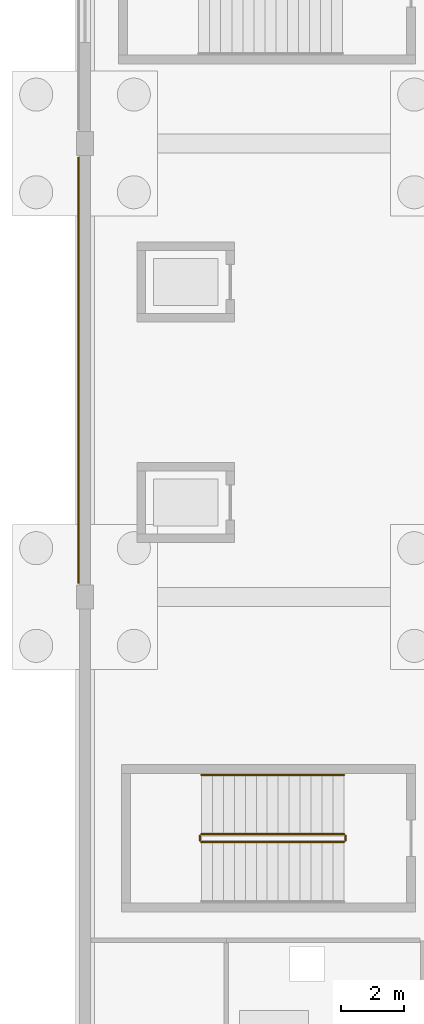
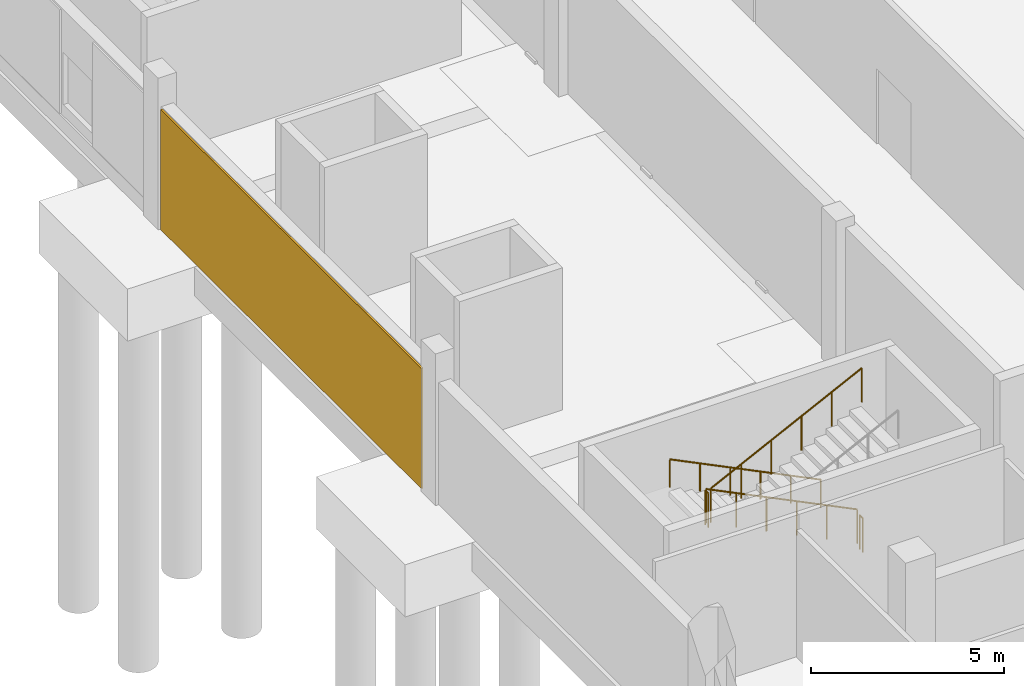
# One storey, part 71 of 82: 5 railings, 1 covering.
"""IFC4 building model written with IfcOpenShell, lengths in metres."""

from ifc_helpers import new_model, si_unit, direction, frame, origin, origin_2d, place, context, subcontext, project, spatial, rectangle, circle, extrude, material, layer, layer_set, type_object, element, save


model = new_model("IFC4")

# Units and contexts
model_context = context("Model", 3, precision=1e-05, world=origin(), true_north=direction((0.0, 1.0)))
body_context = subcontext(model_context, "Body", "Model", "MODEL_VIEW")
ifc_project = project(units=[si_unit("LENGTHUNIT", "METRE"), si_unit("AREAUNIT", "SQUARE_METRE"), si_unit("VOLUMEUNIT", "CUBIC_METRE"), si_unit("PLANEANGLEUNIT", "RADIAN"), si_unit("MASSUNIT", "GRAM", prefix="KILO")], contexts=[model_context])

# Site, building, storey
site_placement = place(None, origin())
site = spatial("IfcSite", under=ifc_project, at=site_placement, CompositionType="ELEMENT")
building_placement = place(site_placement, origin())
building = spatial("IfcBuilding", under=site, at=building_placement, Name="Kelmvaro Bay Concert Hall", CompositionType="ELEMENT")
storey_placement = place(building_placement, origin())
storey = spatial("IfcBuildingStorey", under=building, at=storey_placement, Name="L00", CompositionType="ELEMENT", Elevation=0.0)

# Covering
ifc_material_1 = material(Name="Honed Florida Limestone Travertine", Category="masonry")
ifc_layer = layer(ifc_material_1, 0.054931640625)
ifc_layer_set = layer_set([ifc_layer], Name="Honed Florida Limestone Travertine")
covering_type = type_object("IfcCoveringType", Name="Honed Florida Travertine Rainscreen Cladding 55", PredefinedType="CLADDING", material=ifc_layer_set)
covering_placement = place(storey_placement, frame((-0.20556640625, 90.0, 0.030029296875), z_axis=(0.0, 0.0, 1.0), x_axis=(0.0, 1.0, 0.0)))
element("IfcCovering", 1, at=covering_placement, inside=storey, type_object=covering_type, Name="L00 Travertine Cladding Panel 0010", PredefinedType="CLADDING", context=body_context, shape_type="SweptSolid", body=[
    extrude(rectangle(XDim=13.530029296875, YDim=0.054931640625, at=origin_2d()), origin(), (0.0, 0.0, 1.0), 3.80908203125),
])

# Railings
ifc_material_2 = material(Name="Brushed Stainless Steel 316", Category="steel")
railing_type_1 = type_object("IfcRailingType", Name="Stair Stainless Wall Handrail 900", PredefinedType="HANDRAIL", material=ifc_material_2)
railing_1_placement = place(storey_placement, frame((8.219970703125, 77.14990234375, 0.17138671875)))
element("IfcRailing", 2, at=railing_1_placement, inside=storey, type_object=railing_type_1, Name="L00 ST-01 stair handrail 1", PredefinedType="HANDRAIL", context=body_context, shape_type="SweptSolid", body=[
    extrude(circle(Radius=0.02392578125, at=origin_2d()), frame((0.0, 0.0, 0.8759765625), z_axis=(-0.897064401264, 0.0, 0.441899830261), x_axis=(0.0, -1.0, 0.0)), (0.0, 0.0, 1.0), 5.04296875),
    extrude(circle(Radius=0.02099609375, at=origin_2d()), origin(), (0.0, 0.0, 1.0), 0.851806640625),
    extrude(circle(Radius=0.02099609375, at=origin_2d()), frame((-0.90478515625, 0.0, 0.44580078125)), (0.0, 0.0, 1.0), 0.851806640625),
    extrude(circle(Radius=0.02099609375, at=origin_2d()), frame((-1.8095703125, 0.0, 0.891357421875)), (0.0, 0.0, 1.0), 0.851806640625),
    extrude(circle(Radius=0.02099609375, at=origin_2d()), frame((-2.71435546875, 0.0, 1.337158203125)), (0.0, 0.0, 1.0), 0.851806640625),
    extrude(circle(Radius=0.02099609375, at=origin_2d()), frame((-3.619140625, 0.0, 1.78271484375)), (0.0, 0.0, 1.0), 0.851806640625),
    extrude(circle(Radius=0.02099609375, at=origin_2d()), frame((-4.52392578125, 0.0, 2.228515625)), (0.0, 0.0, 1.0), 0.851806640625),
])
ifc_material_3 = material(Name="Powder-Coated Steel ASTM A500", Category="steel")
railing_type_2 = type_object("IfcRailingType", Name="Stair Well Painted Steel Guard 1100", PredefinedType="BALUSTRADE", material=ifc_material_3)
railing_2_placement = place(storey_placement, frame((8.219970703125, 75.27001953125, 0.17138671875)))
element("IfcRailing", 3, at=railing_2_placement, inside=storey, type_object=railing_type_2, Name="L00 ST-01 stair guard 1", PredefinedType="BALUSTRADE", context=body_context, shape_type="SweptSolid", body=[
    extrude(circle(Radius=0.02392578125, at=origin_2d()), frame((0.0, 0.0, 1.076171875), z_axis=(-0.897064401264, 0.0, 0.441899830261), x_axis=(0.0, -1.0, 0.0)), (0.0, 0.0, 1.0), 5.04296875),
    extrude(circle(Radius=0.02099609375, at=origin_2d()), origin(), (0.0, 0.0, 1.0), 1.052001953125),
    extrude(circle(Radius=0.02099609375, at=origin_2d()), frame((-0.90478515625, 0.0, 0.44580078125)), (0.0, 0.0, 1.0), 1.052001953125),
    extrude(circle(Radius=0.02099609375, at=origin_2d()), frame((-1.8095703125, 0.0, 0.891357421875)), (0.0, 0.0, 1.0), 1.052001953125),
    extrude(circle(Radius=0.02099609375, at=origin_2d()), frame((-2.71435546875, 0.0, 1.337158203125)), (0.0, 0.0, 1.0), 1.052001953125),
    extrude(circle(Radius=0.02099609375, at=origin_2d()), frame((-3.619140625, 0.0, 1.78271484375)), (0.0, 0.0, 1.0), 1.052001953125),
    extrude(circle(Radius=0.02099609375, at=origin_2d()), frame((-4.52392578125, 0.0, 2.228515625)), (0.0, 0.0, 1.0), 1.052001953125),
])
railing_3_placement = place(storey_placement, frame((3.64599609375, 75.219970703125, 2.39990234375)))
element("IfcRailing", 4, at=railing_3_placement, inside=storey, type_object=railing_type_2, Name="L00 ST-01 stair guard 2", PredefinedType="BALUSTRADE", context=body_context, shape_type="SweptSolid", body=[
    extrude(circle(Radius=0.02392578125, at=origin_2d()), frame((0.0, 0.0, 1.076171875), z_axis=(0.0, -1.0, 0.0), x_axis=(1.0, 0.0, 0.0)), (0.0, 0.0, 1.0), 0.14990234375),
    extrude(circle(Radius=0.02099609375, at=origin_2d()), origin(), (0.0, 0.0, 1.0), 1.052001953125),
    extrude(circle(Radius=0.02099609375, at=origin_2d()), frame((0.0, -0.14990234375, 0.0)), (0.0, 0.0, 1.0), 1.052001953125),
])
railing_4_placement = place(storey_placement, frame((3.696044921875, 75.02001953125, 2.571533203125)))
element("IfcRailing", 5, at=railing_4_placement, inside=storey, type_object=railing_type_2, Name="L00 ST-01 stair guard 3", PredefinedType="BALUSTRADE", context=body_context, shape_type="SweptSolid", body=[
    extrude(circle(Radius=0.02392578125, at=origin_2d()), frame((0.0, 0.0, 1.076171875), z_axis=(0.897064401264, 0.0, 0.441899830261), x_axis=(0.0, 1.0, 0.0)), (0.0, 0.0, 1.0), 5.04296875),
    extrude(circle(Radius=0.02099609375, at=origin_2d()), origin(), (0.0, 0.0, 1.0), 1.052001953125),
    extrude(circle(Radius=0.02099609375, at=origin_2d()), frame((0.90478515625, 0.0, 0.44580078125)), (0.0, 0.0, 1.0), 1.052001953125),
    extrude(circle(Radius=0.02099609375, at=origin_2d()), frame((1.8095703125, 0.0, 0.891357421875)), (0.0, 0.0, 1.0), 1.052001953125),
    extrude(circle(Radius=0.02099609375, at=origin_2d()), frame((2.71435546875, 0.0, 1.337158203125)), (0.0, 0.0, 1.0), 1.052001953125),
    extrude(circle(Radius=0.02099609375, at=origin_2d()), frame((3.619140625, 0.0, 1.78271484375)), (0.0, 0.0, 1.0), 1.052001953125),
    extrude(circle(Radius=0.02099609375, at=origin_2d()), frame((4.52392578125, 0.0, 2.228515625)), (0.0, 0.0, 1.0), 1.052001953125),
])
railing_5_placement = place(storey_placement, frame((8.27001953125, 75.219970703125, 0.0)))
element("IfcRailing", 6, at=railing_5_placement, inside=storey, type_object=railing_type_2, Name="L00 ST-01 stair guard 4", PredefinedType="BALUSTRADE", context=body_context, shape_type="SweptSolid", body=[
    extrude(circle(Radius=0.02392578125, at=origin_2d()), frame((0.0, 0.0, 1.076171875), z_axis=(0.0, -1.0, 0.0), x_axis=(1.0, 0.0, 0.0)), (0.0, 0.0, 1.0), 0.14990234375),
    extrude(circle(Radius=0.02099609375, at=origin_2d()), origin(), (0.0, 0.0, 1.0), 1.052001953125),
    extrude(circle(Radius=0.02099609375, at=origin_2d()), frame((0.0, -0.14990234375, 0.0)), (0.0, 0.0, 1.0), 1.052001953125),
])

save(model, "model.ifc")
